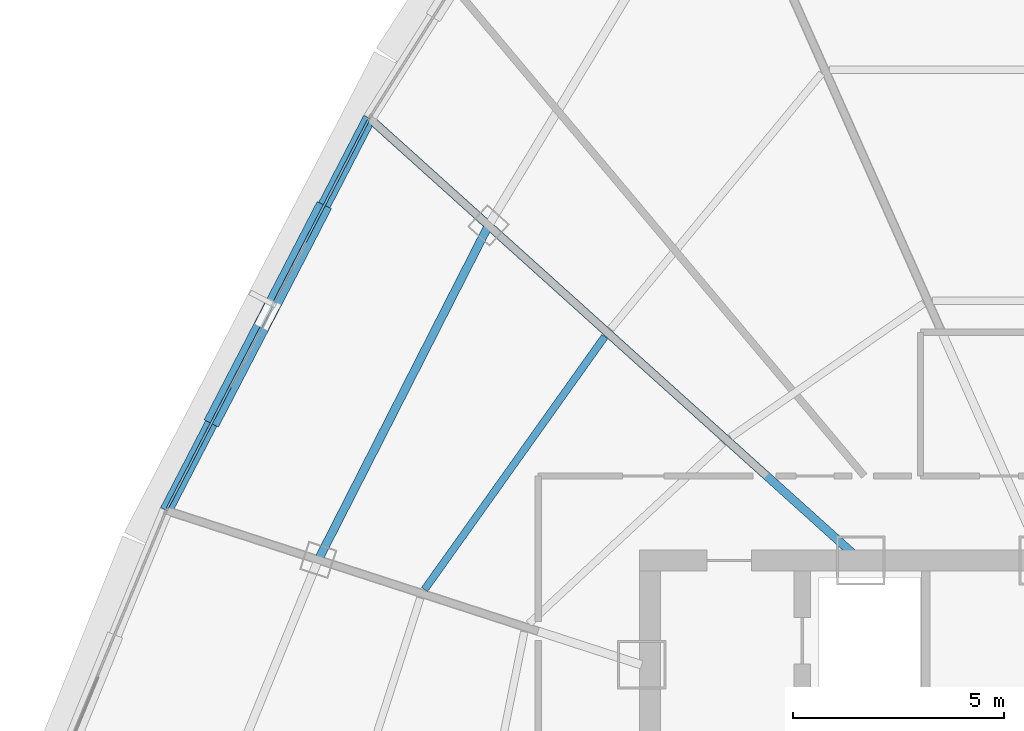
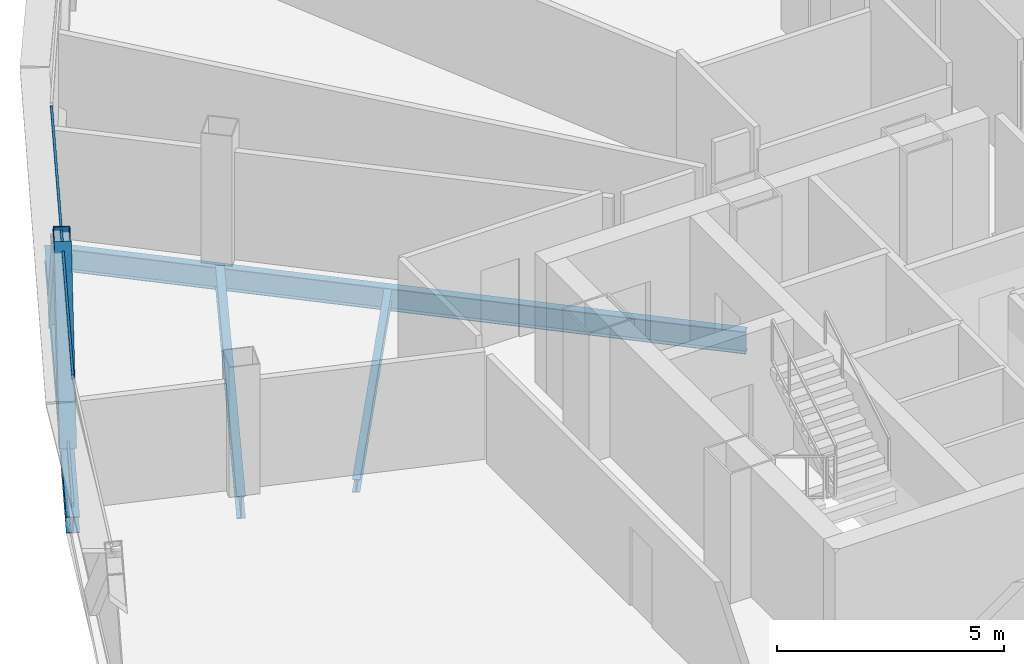
# One storey, part 9 of 33: 4 beams, 4 members, 1 element without a shape of its own.
"""IFC4 building model written with IfcOpenShell, lengths in metres."""

from ifc_helpers import new_model, si_unit, direction, frame, origin, origin_2d, place, context, subcontext, project, spatial, hollow_rectangle, i_section, extrude, source, transform, mapped, material, layer, layer_set, material_profile, profile_set, type_object, element, aggregate, save


model = new_model("IFC4")

# Units and contexts
model_context = context("Model", 3, precision=1e-05, world=origin(), true_north=direction((0.0, 1.0)))
body_context = subcontext(model_context, "Body", "Model", "MODEL_VIEW")
ifc_project = project(units=[si_unit("LENGTHUNIT", "METRE"), si_unit("AREAUNIT", "SQUARE_METRE"), si_unit("VOLUMEUNIT", "CUBIC_METRE"), si_unit("PLANEANGLEUNIT", "RADIAN"), si_unit("MASSUNIT", "GRAM", prefix="KILO"), si_unit("THERMODYNAMICTEMPERATUREUNIT", "KELVIN"), si_unit("POWERUNIT", "WATT")], contexts=[model_context])

# Site, building, storey
site_placement = place(None, origin())
site = spatial("IfcSite", under=ifc_project, at=site_placement, CompositionType="ELEMENT")
building_placement = place(site_placement, origin())
building = spatial("IfcBuilding", under=site, at=building_placement, Name="Yunzhuo Pagoda Commons", CompositionType="ELEMENT")
storey_placement = place(building_placement, frame((0.0, 0.0, 325.510009765625)))
storey = spatial("IfcBuildingStorey", under=building, at=storey_placement, Name="L81", CompositionType="ELEMENT", Elevation=325.510009765625)

# Beams
ifc_material_1 = material(Name="Structural steel Q355B", Category="steel")
ifc_material_profile_1 = material_profile(ifc_material_1, i_section(OverallWidth=0.300048828125, OverallDepth=0.43994140625, WebThickness=0.010986328125, FlangeThickness=0.01806640625, at=origin_2d()), Name="Structural steel Q355B")
ifc_profile_set_1 = profile_set([ifc_material_profile_1], Name="Structural steel Q355B")
beam_type_1 = type_object("IfcBeamType", Name="B-SP2 Beam HM 440x300x11x18", PredefinedType="BEAM", material=ifc_profile_set_1)
shared_shape_1 = source(origin(), body_context, "Body", "SweptSolid", [
    extrude(i_section(OverallWidth=0.300048828125, OverallDepth=0.43994140625, WebThickness=0.010986328125, FlangeThickness=0.01806640625, at=origin_2d()), origin(), (0.0, 0.0, 1.0), 10.453369140625),
])
beam_1_placement = place(storey_placement, frame((29.15625, 50.6669921875, -0.47998046875), z_axis=(-0.459938764451, -0.887950636553, 0.0), x_axis=(0.887950636553, -0.459938764451, 0.0)))
element("IfcBeam", 1, at=beam_1_placement, inside=storey, type_object=beam_type_1, Name="L81 facade edge spandrel beam F3.2", PredefinedType="BEAM", context=body_context, shape_type="MappedRepresentation", body=[
    mapped(shared_shape_1, transform((0.0, 0.0, 0.0), scale=1.0)),
])
ifc_material_profile_2 = material_profile(ifc_material_1, i_section(OverallWidth=0.199951171875, OverallDepth=0.60009765625, WebThickness=0.010986328125, FlangeThickness=0.01708984375, at=origin_2d()), Name="Structural steel Q355B")
ifc_profile_set_2 = profile_set([ifc_material_profile_2], Name="Structural steel Q355B")
beam_type_2 = type_object("IfcBeamType", Name="B-RG3 Beam HN 600x200x11x17", PredefinedType="BEAM", material=ifc_profile_set_2)
shared_shape_2 = source(origin(), body_context, "Body", "SweptSolid", [
    extrude(i_section(OverallWidth=0.199951171875, OverallDepth=0.60009765625, WebThickness=0.010986328125, FlangeThickness=0.01708984375, at=origin_2d()), origin(), (0.0, 0.0, 1.0), 8.87939453125),
])
beam_2_placement = place(storey_placement, frame((31.975341796875, 48.128662109375, -0.56005859375), z_axis=(-0.453723535687, -0.891142498798, 0.0), x_axis=(0.891142498798, -0.453723535687, 0.0)))
element("IfcBeam", 2, at=beam_2_placement, inside=storey, type_object=beam_type_2, Name="L81 column-ring beam 10", PredefinedType="BEAM", context=body_context, shape_type="MappedRepresentation", body=[
    mapped(shared_shape_2, transform((0.0, 0.0, 0.0), scale=1.0)),
])
shared_shape_3 = source(origin(), body_context, "Body", "SweptSolid", [
    extrude(i_section(OverallWidth=0.199951171875, OverallDepth=0.60009765625, WebThickness=0.010986328125, FlangeThickness=0.01708984375, at=origin_2d()), origin(), (0.0, 0.0, 1.0), 15.487548828125),
])
beam_3_placement = place(storey_placement, frame((29.271484375, 50.563232421875, -0.56005859375), z_axis=(0.743142849048, -0.6691328014, 0.0), x_axis=(0.6691328014, 0.743142849048, 0.0)))
element("IfcBeam", 3, at=beam_3_placement, inside=storey, type_object=beam_type_2, Name="L81 radial floor girder F3C2", PredefinedType="BEAM", context=body_context, shape_type="MappedRepresentation", body=[
    mapped(shared_shape_3, transform((0.0, 0.0, 0.0), scale=1.0)),
])
ifc_material_profile_3 = material_profile(ifc_material_1, i_section(OverallWidth=0.175048828125, OverallDepth=0.35009765625, WebThickness=0.007080078125, FlangeThickness=0.010986328125, at=origin_2d()), Name="Structural steel Q355B")
ifc_profile_set_3 = profile_set([ifc_material_profile_3], Name="Structural steel Q355B")
beam_type_3 = type_object("IfcBeamType", Name="B-JS2 Joist HN 350x175x7x11", PredefinedType="JOIST", material=ifc_profile_set_3)
shared_shape_4 = source(origin(), body_context, "Body", "SweptSolid", [
    extrude(i_section(OverallWidth=0.175048828125, OverallDepth=0.35009765625, WebThickness=0.007080078125, FlangeThickness=0.010986328125, at=origin_2d()), origin(), (0.0, 0.0, 1.0), 7.347900390625),
])
beam_4_placement = place(storey_placement, frame((34.726318359375, 45.497802734375, -0.43505859375), z_axis=(-0.580294898948, -0.814406428177, 0.0), x_axis=(0.814406428177, -0.580294898948, 0.0)))
element("IfcBeam", 4, at=beam_4_placement, inside=storey, type_object=beam_type_3, Name="L81 composite ring joist 2.10", PredefinedType="JOIST", context=body_context, shape_type="MappedRepresentation", body=[
    mapped(shared_shape_4, transform((0.0, 0.0, 0.0), scale=1.0)),
])

# Members
ifc_material_profile_4 = material_profile(ifc_material_1, hollow_rectangle(XDim=0.3798828125, YDim=0.719970703125, WallThickness=0.02001953125, at=origin_2d()), Name="Structural steel Q355B")
ifc_profile_set_4 = profile_set([ifc_material_profile_4], Name="Structural steel Q355B")
member_type_1 = type_object("IfcMemberType", Name="M-DL3 Brace BOX 720x380x20", PredefinedType="BRACE", material=ifc_profile_set_4)
shared_shape_5 = source(origin(), body_context, "Body", "SweptSolid", [
    extrude(hollow_rectangle(XDim=0.3798828125, YDim=0.719970703125, WallThickness=0.02001953125, at=origin_2d()), origin(), (0.0, 0.0, 1.0), 4.57080078125),
])
member_1_placement = place(storey_placement, frame((25.55029296875, 43.705322265625, -0.260009765625), z_axis=(0.262953700016, 0.507693463061, 0.820428363243), x_axis=(-0.887965115097, 0.459910811323, 0.0)))
element("IfcMember", 5, at=member_1_placement, inside=storey, type_object=member_type_1, Name="L81 facade diamond brace F3.2R", PredefinedType="BRACE", context=body_context, shape_type="MappedRepresentation", body=[
    mapped(shared_shape_5, transform((0.0, 0.0, 0.0), scale=1.0)),
])
shared_shape_6 = source(origin(), body_context, "Body", "SweptSolid", [
    extrude(hollow_rectangle(XDim=0.3798828125, YDim=0.719970703125, WallThickness=0.02001953125, at=origin_2d()), origin(), (0.0, 0.0, 1.0), 4.571044921875),
])
member_2_placement = place(storey_placement, frame((27.954345703125, 48.3466796875, -0.260009765625), z_axis=(-0.262996287127, -0.507725975919, 0.820394591849), x_axis=(0.88794672524, -0.459946315493, 0.0)))
element("IfcMember", 6, at=member_2_placement, inside=storey, type_object=member_type_1, Name="L81 facade diamond brace F3.2L", PredefinedType="BRACE", context=body_context, shape_type="MappedRepresentation", body=[
    mapped(shared_shape_6, transform((0.0, 0.0, 0.0), scale=1.0)),
])

# Curtain wall, members
ifc_material_2 = material(Name="Anodized aluminium 6063-T6", Category="aluminium")
ifc_layer = layer(ifc_material_2, 0.139892578125)
ifc_layer_set = layer_set([ifc_layer], Name="Anodized aluminium 6063-T6")
curtain_wall_type = type_object("IfcCurtainWallType", Name="CW-HI High-Zone Ribbon Curtain Wall", PredefinedType="NOTDEFINED", material=ifc_layer_set)
curtain_wall_placement = place(storey_placement, origin())
curtain_wall = element("IfcCurtainWall", 7, at=curtain_wall_placement, inside=storey, type_object=curtain_wall_type, Name="L81 curtain wall CW-L81-F3B3", PredefinedType="NOTDEFINED")
ifc_material_profile_5 = material_profile(ifc_material_2, hollow_rectangle(XDim=0.054931640625, YDim=0.1201171875, WallThickness=0.00341796875, at=origin_2d()), Name="Anodized aluminium 6063-T6")
ifc_profile_set_5 = profile_set([ifc_material_profile_5], Name="Anodized aluminium 6063-T6")
member_type_2 = type_object("IfcMemberType", Name="CW-HI-T Transom RHS 120x55x3.5", PredefinedType="USERDEFINED", material=ifc_profile_set_5)
shared_shape_7 = source(origin(), body_context, "Body", "SweptSolid", [
    extrude(hollow_rectangle(XDim=0.054931640625, YDim=0.1201171875, WallThickness=0.00341796875, at=origin_2d()), origin(), (0.0, 0.0, 1.0), 10.33349609375),
])
member_3_placement = place(storey_placement, frame((29.128662109375, 50.614013671875, 0.027587890625), z_axis=(-0.459926104171, -0.887957194183, 0.0), x_axis=(0.887957194183, -0.459926104171, 0.0)))
member_3 = element("IfcMember", 8, at=member_3_placement, type_object=member_type_2, Name="CW transom 1.1", ObjectType="TRANSOM", PredefinedType="USERDEFINED", context=body_context, shape_type="MappedRepresentation", body=[
    mapped(shared_shape_7, transform((0.0, 0.0, 0.0), scale=1.0)),
])
member_4_placement = place(storey_placement, frame((29.128662109375, 50.614013671875, 3.46240234375), z_axis=(-0.459926104171, -0.887957194183, 0.0), x_axis=(0.887957194183, -0.459926104171, 0.0)))
member_4 = element("IfcMember", 9, at=member_4_placement, type_object=member_type_2, Name="CW transom 1.2", ObjectType="TRANSOM", PredefinedType="USERDEFINED", context=body_context, shape_type="MappedRepresentation", body=[
    mapped(shared_shape_7, transform((0.0, 0.0, 0.0), scale=1.0)),
])
aggregate(curtain_wall, [member_3, member_4])

save(model, "model.ifc")
